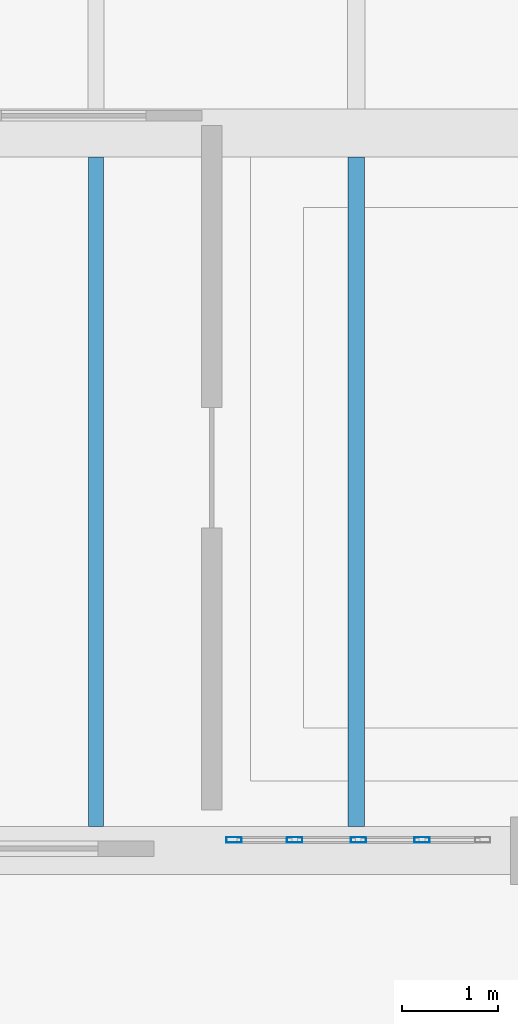
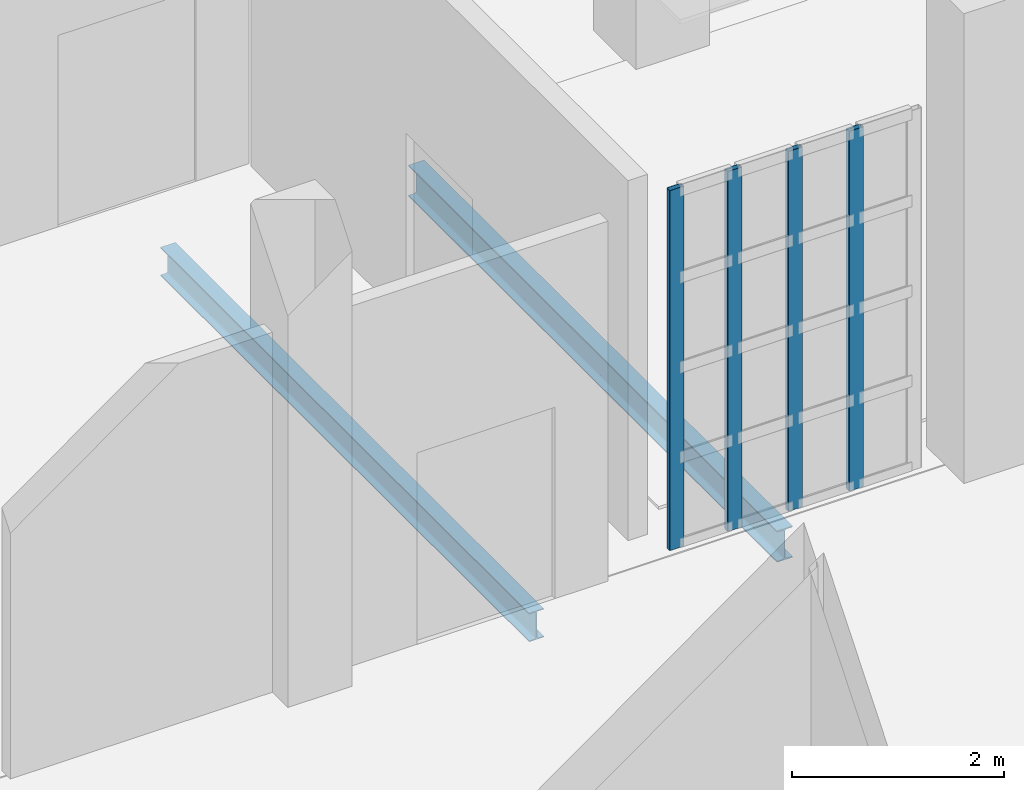
# One storey, part 282 of 372: 4 members, 2 beams, 1 element without a shape of its own.
"""IFC4 building model written with IfcOpenShell, lengths in metres."""

from ifc_helpers import new_model, si_unit, direction, frame, origin, origin_2d, place, context, subcontext, project, spatial, hollow_rectangle, i_section, extrude, material, material_profile, profile_set, type_object, element, aggregate, save


model = new_model("IFC4")

# Units and contexts
model_context = context("Model", 3, precision=1e-05, world=origin(), true_north=direction((0.0, 1.0)))
body_context = subcontext(model_context, "Body", "Model", "MODEL_VIEW")
ifc_project = project(units=[si_unit("LENGTHUNIT", "METRE"), si_unit("AREAUNIT", "SQUARE_METRE"), si_unit("VOLUMEUNIT", "CUBIC_METRE"), si_unit("PLANEANGLEUNIT", "RADIAN"), si_unit("MASSUNIT", "GRAM", prefix="KILO")], contexts=[model_context])

# Site, building, storey
site_placement = place(None, origin())
site = spatial("IfcSite", under=ifc_project, at=site_placement, CompositionType="ELEMENT")
building_placement = place(site_placement, origin())
building = spatial("IfcBuilding", under=site, at=building_placement, Name="Kaelora Sail Theatre", CompositionType="ELEMENT")
storey_placement = place(building_placement, origin())
storey = spatial("IfcBuildingStorey", under=building, at=storey_placement, Name="L00", CompositionType="ELEMENT", Elevation=0.0)

# Curtain wall, members
ifc_material_1 = material(Name="Anodised aluminium and solar-control low-E IGU", Category="aluminium")
curtain_wall_type = type_object("IfcCurtainWallType", Name="ARC-CW-CW-FOY2", PredefinedType="NOTDEFINED", material=ifc_material_1)
curtain_wall_placement = place(storey_placement, origin())
curtain_wall = element("IfcCurtainWall", 1, at=curtain_wall_placement, inside=storey, type_object=curtain_wall_type, Name="Glazed Foyer/Conservatory Curtain Wall FE1-S-L00-01", PredefinedType="NOTDEFINED")
ifc_material_2 = material(Name="Anodised aluminium 6063-T6", Category="aluminium")
ifc_material_profile_1 = material_profile(ifc_material_2, hollow_rectangle(XDim=0.06005859375, YDim=0.159912109375, WallThickness=0.00390625, InnerFilletRadius=0.00390625, OuterFilletRadius=0.008056640625, at=origin_2d()), Name="ALU-MULL 60x160x4")
ifc_profile_set_1 = profile_set([ifc_material_profile_1], Name="Anodised aluminium 6063-T6")
member_type = type_object("IfcMemberType", Name="ARC-MEM-ML-160", PredefinedType="MULLION", material=ifc_profile_set_1)
member_1_placement = place(storey_placement, frame((143.330078125, 53.68994140625, 0.0), z_axis=(0.0, 0.0, 1.0), x_axis=(0.0, 1.0, 0.0)))
member_1 = element("IfcMember", 2, at=member_1_placement, type_object=member_type, Name="CW-FOY2 mullion 1", PredefinedType="MULLION", context=body_context, shape_type="SweptSolid", body=[
    extrude(hollow_rectangle(XDim=0.06005859375, YDim=0.159912109375, WallThickness=0.00390625, InnerFilletRadius=0.00390625, OuterFilletRadius=0.008056640625, at=origin_2d()), origin(), (0.0, 0.0, 1.0), 4.136962890625),
])
member_2_placement = place(storey_placement, frame((143.9599609375, 53.68994140625, 0.0), z_axis=(0.0, 0.0, 1.0), x_axis=(0.0, 1.0, 0.0)))
member_2 = element("IfcMember", 3, at=member_2_placement, type_object=member_type, Name="CW-FOY2 mullion 2", PredefinedType="MULLION", context=body_context, shape_type="SweptSolid", body=[
    extrude(hollow_rectangle(XDim=0.06005859375, YDim=0.159912109375, WallThickness=0.00390625, InnerFilletRadius=0.00390625, OuterFilletRadius=0.008056640625, at=origin_2d()), origin(), (0.0, 0.0, 1.0), 4.136962890625),
])
member_3_placement = place(storey_placement, frame((144.6201171875, 53.68994140625, 0.0), z_axis=(0.0, 0.0, 1.0), x_axis=(0.0, 1.0, 0.0)))
member_3 = element("IfcMember", 4, at=member_3_placement, type_object=member_type, Name="CW-FOY2 mullion 3", PredefinedType="MULLION", context=body_context, shape_type="SweptSolid", body=[
    extrude(hollow_rectangle(XDim=0.06005859375, YDim=0.159912109375, WallThickness=0.00390625, InnerFilletRadius=0.00390625, OuterFilletRadius=0.008056640625, at=origin_2d()), origin(), (0.0, 0.0, 1.0), 4.136962890625),
])
member_4_placement = place(storey_placement, frame((145.280029296875, 53.68994140625, 0.0), z_axis=(0.0, 0.0, 1.0), x_axis=(0.0, 1.0, 0.0)))
member_4 = element("IfcMember", 5, at=member_4_placement, type_object=member_type, Name="CW-FOY2 mullion 4", PredefinedType="MULLION", context=body_context, shape_type="SweptSolid", body=[
    extrude(hollow_rectangle(XDim=0.06005859375, YDim=0.159912109375, WallThickness=0.00390625, InnerFilletRadius=0.00390625, OuterFilletRadius=0.008056640625, at=origin_2d()), origin(), (0.0, 0.0, 1.0), 4.136962890625),
])
aggregate(curtain_wall, [member_1, member_2, member_3, member_4])

# Beams
ifc_material_3 = material(Name="Steel S355", Category="steel")
ifc_material_profile_2 = material_profile(ifc_material_3, i_section(OverallWidth=0.159912109375, OverallDepth=0.330078125, WebThickness=0.007568359375, FlangeThickness=0.011474609375, FilletRadius=0.01806640625, at=origin_2d()), Name="IPE 330")
ifc_profile_set_2 = profile_set([ifc_material_profile_2], Name="Steel S355")
beam_type_1 = type_object("IfcBeamType", Name="STR-BM-JS-IPE330", PredefinedType="JOIST", material=ifc_profile_set_2)
beam_1_placement = place(storey_placement, frame((141.89990234375, 53.830078125, -0.485107421875), z_axis=(0.0, 1.0, 0.0), x_axis=(-1.0, 0.0, 0.0)))
element("IfcBeam", 6, at=beam_1_placement, inside=storey, type_object=beam_type_1, Name="Secondary floor joist 18/H-1 (L00)", PredefinedType="JOIST", context=body_context, shape_type="SweptSolid", body=[
    extrude(i_section(OverallWidth=0.159912109375, OverallDepth=0.330078125, WebThickness=0.007568359375, FlangeThickness=0.011474609375, FilletRadius=0.01806640625, at=origin_2d()), origin(), (0.0, 0.0, 1.0), 6.93994140625),
])
ifc_material_4 = material(Name="Steel S355", Category="steel")
ifc_material_profile_3 = material_profile(ifc_material_4, i_section(OverallWidth=0.169921875, OverallDepth=0.360107421875, WebThickness=0.008056640625, FlangeThickness=0.0126953125, FilletRadius=0.01806640625, at=origin_2d()), Name="IPE 360")
ifc_profile_set_3 = profile_set([ifc_material_profile_3], Name="Steel S355")
beam_type_2 = type_object("IfcBeamType", Name="STR-BM-JS-IPE360", PredefinedType="JOIST", material=ifc_profile_set_3)
beam_2_placement = place(storey_placement, frame((144.60009765625, 53.830078125, -0.5), z_axis=(0.0, 1.0, 0.0), x_axis=(-1.0, 0.0, 0.0)))
element("IfcBeam", 7, at=beam_2_placement, inside=storey, type_object=beam_type_2, Name="Secondary floor joist 18/H-2 (L00)", PredefinedType="JOIST", context=body_context, shape_type="SweptSolid", body=[
    extrude(i_section(OverallWidth=0.169921875, OverallDepth=0.360107421875, WebThickness=0.008056640625, FlangeThickness=0.0126953125, FilletRadius=0.01806640625, at=origin_2d()), origin(), (0.0, 0.0, 1.0), 6.93994140625),
])

save(model, "model.ifc")
